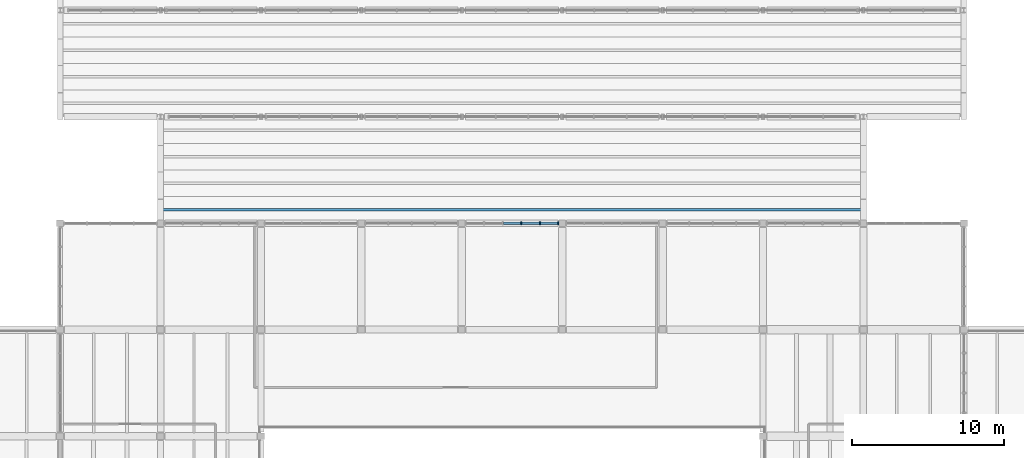
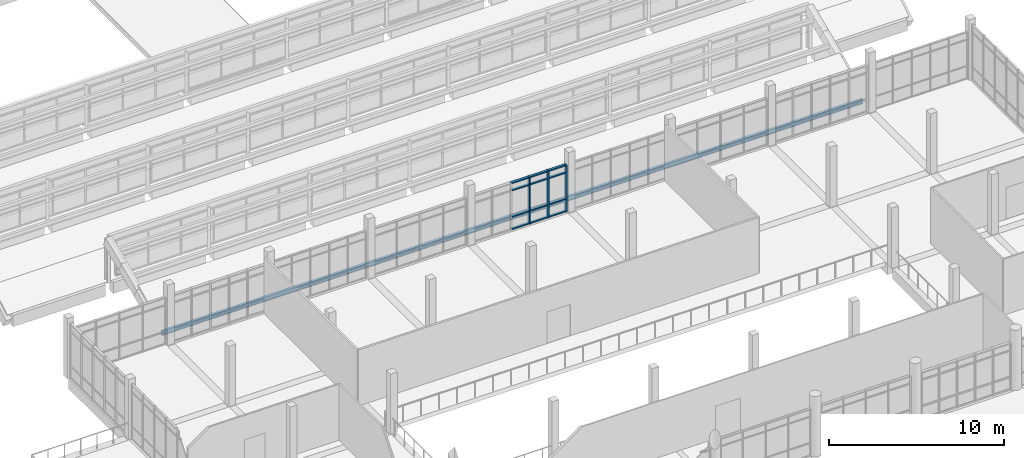
# One storey, part 15 of 92: 16 members, 1 element without a shape of its own.
"""IFC4 building model written with IfcOpenShell, lengths in metres."""

from ifc_helpers import new_model, si_unit, direction, frame, origin, origin_2d, place, context, subcontext, project, spatial, rectangle, i_section, extrude, material, material_profile, profile_set, type_object, element, aggregate, save


model = new_model("IFC4")

# Units and contexts
model_context = context("Model", 3, precision=1e-05, world=origin(), true_north=direction((0.0, 1.0)))
body_context = subcontext(model_context, "Body", "Model", "MODEL_VIEW")
ifc_project = project(units=[si_unit("LENGTHUNIT", "METRE"), si_unit("AREAUNIT", "SQUARE_METRE"), si_unit("VOLUMEUNIT", "CUBIC_METRE"), si_unit("PLANEANGLEUNIT", "RADIAN"), si_unit("MASSUNIT", "GRAM", prefix="KILO")], contexts=[model_context])

# Site, building, storey
site_placement = place(None, origin())
site = spatial("IfcSite", under=ifc_project, at=site_placement, CompositionType="ELEMENT")
building_placement = place(site_placement, origin())
building = spatial("IfcBuilding", under=site, at=building_placement, Name="Ciguamira Faculty of Natural Sciences", CompositionType="ELEMENT")
storey_placement = place(building_placement, frame((0.0, 0.0, 16.800048828125)))
storey = spatial("IfcBuildingStorey", under=building, at=storey_placement, Name="L04", CompositionType="ELEMENT", Elevation=16.800048828125)

# Curtain wall, members
ifc_material_1 = material(Name="Anodized aluminium curtain wall", Category="aluminium")
curtain_wall_type = type_object("IfcCurtainWallType", Name="CurtainWall_CW-09", PredefinedType="USERDEFINED", material=ifc_material_1)
curtain_wall_placement = place(storey_placement, origin())
curtain_wall = element("IfcCurtainWall", 1, at=curtain_wall_placement, inside=storey, type_object=curtain_wall_type, Name="L04 unitised curtain wall 0117", ObjectType="UNITISED CURTAIN WALL", PredefinedType="USERDEFINED")
ifc_material_2 = material(Name="Anodized aluminium mullion", Category="aluminium")
ifc_material_profile_1 = material_profile(ifc_material_2, rectangle(XDim=0.080078125, YDim=0.219970703125, at=origin_2d()), Name="ALU-MUL-80X220")
ifc_profile_set_1 = profile_set([ifc_material_profile_1], Name="Anodized aluminium mullion")
member_type_1 = type_object("IfcMemberType", Name="CWMullion_CWM-03", PredefinedType="MULLION", material=ifc_profile_set_1)
member_1_placement = place(storey_placement, frame((87.614990234375, 38.0, 0.0), z_axis=(0.0, 0.0, 1.0), x_axis=(1.0, 0.0, 0.0)))
member_1 = element("IfcMember", 2, at=member_1_placement, type_object=member_type_1, Name="CW-09 mullion 4", PredefinedType="MULLION", context=body_context, shape_type="SweptSolid", body=[
    extrude(rectangle(XDim=0.080078125, YDim=0.219970703125, at=origin_2d()), origin(), (0.0, 0.0, 1.0), 3.284912109375),
])
member_2_placement = place(storey_placement, frame((88.844970703125, 38.0, 0.0), z_axis=(0.0, 0.0, 1.0), x_axis=(1.0, 0.0, 0.0)))
member_2 = element("IfcMember", 3, at=member_2_placement, type_object=member_type_1, Name="CW-09 mullion 5", PredefinedType="MULLION", context=body_context, shape_type="SweptSolid", body=[
    extrude(rectangle(XDim=0.080078125, YDim=0.219970703125, at=origin_2d()), origin(), (0.0, 0.0, 1.0), 3.284912109375),
])
member_3_placement = place(storey_placement, frame((90.034912109375, 38.0, 0.0), z_axis=(0.0, 0.0, 1.0), x_axis=(1.0, 0.0, 0.0)))
member_3 = element("IfcMember", 4, at=member_3_placement, type_object=member_type_1, Name="CW-09 mullion 6", PredefinedType="MULLION", context=body_context, shape_type="SweptSolid", body=[
    extrude(rectangle(XDim=0.080078125, YDim=0.219970703125, at=origin_2d()), origin(), (0.0, 0.0, 1.0), 3.284912109375),
])
ifc_material_3 = material(Name="Anodized aluminium transom", Category="aluminium")
ifc_material_profile_2 = material_profile(ifc_material_3, rectangle(XDim=0.080078125, YDim=0.159912109375, at=origin_2d()), Name="ALU-TRN-80X160")
ifc_profile_set_2 = profile_set([ifc_material_profile_2], Name="Anodized aluminium transom")
member_type_2 = type_object("IfcMemberType", Name="CWTransom_CWT-03", PredefinedType="USERDEFINED", material=ifc_profile_set_2)
member_4_placement = place(storey_placement, frame((86.425048828125, 38.0, 0.0400390625), z_axis=(1.0, 0.0, 0.0), x_axis=(0.0, 0.0, 1.0)))
member_4 = element("IfcMember", 5, at=member_4_placement, type_object=member_type_2, Name="CW-09 transom 3.1", ObjectType="TRANSOM", PredefinedType="USERDEFINED", context=body_context, shape_type="SweptSolid", body=[
    extrude(rectangle(XDim=0.080078125, YDim=0.159912109375, at=origin_2d()), origin(), (0.0, 0.0, 1.0), 1.14990234375),
])
member_5_placement = place(storey_placement, frame((86.425048828125, 38.0, 0.89990234375), z_axis=(1.0, 0.0, 0.0), x_axis=(0.0, 0.0, 1.0)))
member_5 = element("IfcMember", 6, at=member_5_placement, type_object=member_type_2, Name="CW-09 transom 3.2", ObjectType="TRANSOM", PredefinedType="USERDEFINED", context=body_context, shape_type="SweptSolid", body=[
    extrude(rectangle(XDim=0.080078125, YDim=0.159912109375, at=origin_2d()), origin(), (0.0, 0.0, 1.0), 1.14990234375),
])
member_6_placement = place(storey_placement, frame((86.425048828125, 38.0, 2.73486328125), z_axis=(1.0, 0.0, 0.0), x_axis=(0.0, 0.0, 1.0)))
member_6 = element("IfcMember", 7, at=member_6_placement, type_object=member_type_2, Name="CW-09 transom 3.3", ObjectType="TRANSOM", PredefinedType="USERDEFINED", context=body_context, shape_type="SweptSolid", body=[
    extrude(rectangle(XDim=0.080078125, YDim=0.159912109375, at=origin_2d()), origin(), (0.0, 0.0, 1.0), 1.14990234375),
])
member_7_placement = place(storey_placement, frame((86.425048828125, 38.0, 3.244873046875), z_axis=(1.0, 0.0, 0.0), x_axis=(0.0, 0.0, 1.0)))
member_7 = element("IfcMember", 8, at=member_7_placement, type_object=member_type_2, Name="CW-09 transom 3.4", ObjectType="TRANSOM", PredefinedType="USERDEFINED", context=body_context, shape_type="SweptSolid", body=[
    extrude(rectangle(XDim=0.080078125, YDim=0.159912109375, at=origin_2d()), origin(), (0.0, 0.0, 1.0), 1.14990234375),
])
member_8_placement = place(storey_placement, frame((87.655029296875, 38.0, 0.0400390625), z_axis=(1.0, 0.0, 0.0), x_axis=(0.0, 0.0, 1.0)))
member_8 = element("IfcMember", 9, at=member_8_placement, type_object=member_type_2, Name="CW-09 transom 4.1", ObjectType="TRANSOM", PredefinedType="USERDEFINED", context=body_context, shape_type="SweptSolid", body=[
    extrude(rectangle(XDim=0.080078125, YDim=0.159912109375, at=origin_2d()), origin(), (0.0, 0.0, 1.0), 1.14990234375),
])
member_9_placement = place(storey_placement, frame((87.655029296875, 38.0, 0.89990234375), z_axis=(1.0, 0.0, 0.0), x_axis=(0.0, 0.0, 1.0)))
member_9 = element("IfcMember", 10, at=member_9_placement, type_object=member_type_2, Name="CW-09 transom 4.2", ObjectType="TRANSOM", PredefinedType="USERDEFINED", context=body_context, shape_type="SweptSolid", body=[
    extrude(rectangle(XDim=0.080078125, YDim=0.159912109375, at=origin_2d()), origin(), (0.0, 0.0, 1.0), 1.14990234375),
])
member_10_placement = place(storey_placement, frame((87.655029296875, 38.0, 2.73486328125), z_axis=(1.0, 0.0, 0.0), x_axis=(0.0, 0.0, 1.0)))
member_10 = element("IfcMember", 11, at=member_10_placement, type_object=member_type_2, Name="CW-09 transom 4.3", ObjectType="TRANSOM", PredefinedType="USERDEFINED", context=body_context, shape_type="SweptSolid", body=[
    extrude(rectangle(XDim=0.080078125, YDim=0.159912109375, at=origin_2d()), origin(), (0.0, 0.0, 1.0), 1.14990234375),
])
member_11_placement = place(storey_placement, frame((87.655029296875, 38.0, 3.244873046875), z_axis=(1.0, 0.0, 0.0), x_axis=(0.0, 0.0, 1.0)))
member_11 = element("IfcMember", 12, at=member_11_placement, type_object=member_type_2, Name="CW-09 transom 4.4", ObjectType="TRANSOM", PredefinedType="USERDEFINED", context=body_context, shape_type="SweptSolid", body=[
    extrude(rectangle(XDim=0.080078125, YDim=0.159912109375, at=origin_2d()), origin(), (0.0, 0.0, 1.0), 1.14990234375),
])
member_12_placement = place(storey_placement, frame((88.885009765625, 38.0, 0.0400390625), z_axis=(1.0, 0.0, 0.0), x_axis=(0.0, 0.0, 1.0)))
member_12 = element("IfcMember", 13, at=member_12_placement, type_object=member_type_2, Name="CW-09 transom 5.1", ObjectType="TRANSOM", PredefinedType="USERDEFINED", context=body_context, shape_type="SweptSolid", body=[
    extrude(rectangle(XDim=0.080078125, YDim=0.159912109375, at=origin_2d()), origin(), (0.0, 0.0, 1.0), 1.110107421875),
])
member_13_placement = place(storey_placement, frame((88.885009765625, 38.0, 0.89990234375), z_axis=(1.0, 0.0, 0.0), x_axis=(0.0, 0.0, 1.0)))
member_13 = element("IfcMember", 14, at=member_13_placement, type_object=member_type_2, Name="CW-09 transom 5.2", ObjectType="TRANSOM", PredefinedType="USERDEFINED", context=body_context, shape_type="SweptSolid", body=[
    extrude(rectangle(XDim=0.080078125, YDim=0.159912109375, at=origin_2d()), origin(), (0.0, 0.0, 1.0), 1.110107421875),
])
member_14_placement = place(storey_placement, frame((88.885009765625, 38.0, 2.73486328125), z_axis=(1.0, 0.0, 0.0), x_axis=(0.0, 0.0, 1.0)))
member_14 = element("IfcMember", 15, at=member_14_placement, type_object=member_type_2, Name="CW-09 transom 5.3", ObjectType="TRANSOM", PredefinedType="USERDEFINED", context=body_context, shape_type="SweptSolid", body=[
    extrude(rectangle(XDim=0.080078125, YDim=0.159912109375, at=origin_2d()), origin(), (0.0, 0.0, 1.0), 1.110107421875),
])
member_15_placement = place(storey_placement, frame((88.885009765625, 38.0, 3.244873046875), z_axis=(1.0, 0.0, 0.0), x_axis=(0.0, 0.0, 1.0)))
member_15 = element("IfcMember", 16, at=member_15_placement, type_object=member_type_2, Name="CW-09 transom 5.4", ObjectType="TRANSOM", PredefinedType="USERDEFINED", context=body_context, shape_type="SweptSolid", body=[
    extrude(rectangle(XDim=0.080078125, YDim=0.159912109375, at=origin_2d()), origin(), (0.0, 0.0, 1.0), 1.110107421875),
])
aggregate(curtain_wall, [member_1, member_2, member_3, member_4, member_5, member_6, member_7, member_8, member_9, member_10, member_11, member_12, member_13, member_14, member_15])

# Member
ifc_material_4 = material(Name="Steel ASTM A992 Grade 50", Category="steel")
ifc_material_profile_3 = material_profile(ifc_material_4, i_section(OverallWidth=0.164794921875, OverallDepth=0.309814453125, WebThickness=0.005859375, FlangeThickness=0.009765625, at=origin_2d()), Name="W12X26")
ifc_profile_set_3 = profile_set([ifc_material_profile_3], Name="Steel ASTM A992 Grade 50")
member_type_3 = type_object("IfcMemberType", Name="SteelMember_PR-02_W12X26", PredefinedType="PURLIN", material=ifc_profile_set_3)
member_16_placement = place(storey_placement, frame((63.89990234375, 38.875, 0.148193359375), z_axis=(1.0, 0.0, 0.0), x_axis=(0.0, 1.0, 0.0)))
element("IfcMember", 17, at=member_16_placement, inside=storey, type_object=member_type_3, Name="V4 wave roof steel purlin 1-1-1", PredefinedType="PURLIN", context=body_context, shape_type="SweptSolid", body=[
    extrude(i_section(OverallWidth=0.164794921875, OverallDepth=0.309814453125, WebThickness=0.005859375, FlangeThickness=0.009765625, at=origin_2d()), origin(), (0.0, 0.0, 1.0), 46.2001953125),
])

save(model, "model.ifc")
